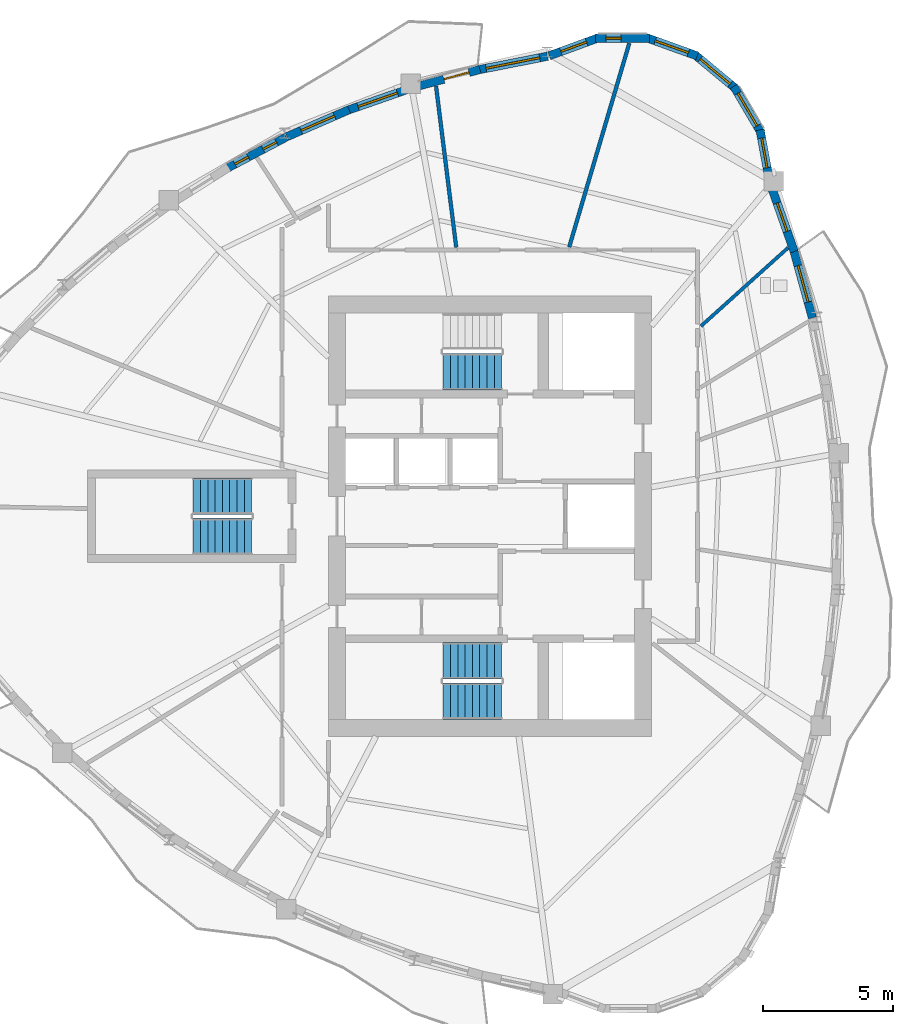
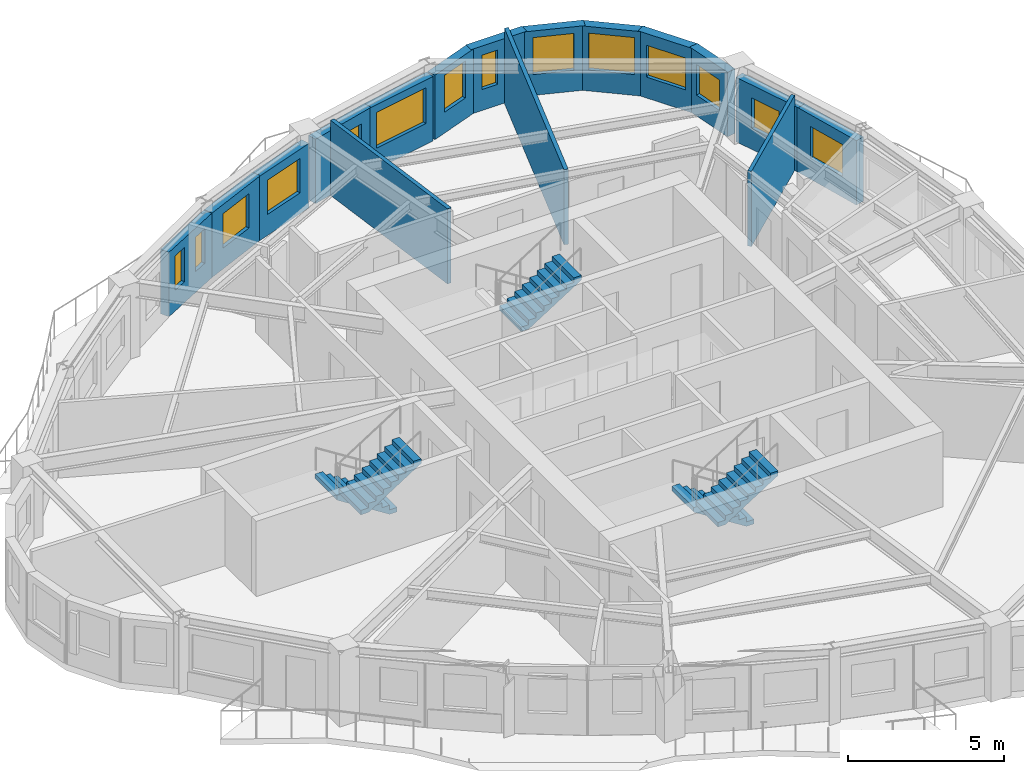
# One storey, part 7 of 12: 16 walls, 13 windows, 5 stair flights, 1 door, 14 openings, 3 elements without a shape of their own.
"""IFC4 building model written with IfcOpenShell, lengths in metres."""

from ifc_helpers import new_model, si_unit, direction, frame, frame_2d, origin, place, context, subcontext, project, spatial, polyline, rectangle, outline, extrude, source, transform, mapped, material, layer, layer_set, type_object, element, fill, aggregate, save


model = new_model("IFC4")

# Units and contexts
model_context = context("Model", 3, precision=1e-05, world=origin(), true_north=direction((0.0, 1.0)))
body_context = subcontext(model_context, "Body", "Model", "MODEL_VIEW")
ifc_project = project(units=[si_unit("LENGTHUNIT", "METRE"), si_unit("AREAUNIT", "SQUARE_METRE"), si_unit("VOLUMEUNIT", "CUBIC_METRE"), si_unit("PLANEANGLEUNIT", "RADIAN"), si_unit("MASSUNIT", "GRAM", prefix="KILO")], contexts=[model_context])

# Site, building, storey
site_placement = place(None, origin())
site = spatial("IfcSite", under=ifc_project, at=site_placement, CompositionType="ELEMENT")
building_placement = place(site_placement, origin())
building = spatial("IfcBuilding", under=site, at=building_placement, Name="Qafzar Sky-Pleat Residences", CompositionType="ELEMENT")
storey_placement = place(building_placement, frame((0.0, 0.0, 171.39990234375)))
storey = spatial("IfcBuildingStorey", under=building, at=storey_placement, Name="L51", CompositionType="ELEMENT", Elevation=171.39990234375)

# Walls
ifc_material_1 = material(Name="Acoustic gypsum plasterboard partition", Category="gypsum")
ifc_layer_1 = layer(ifc_material_1, 0.14501953125)
ifc_layer_set_1 = layer_set([ifc_layer_1], Name="Acoustic gypsum plasterboard partition")
wall_type_1 = type_object("IfcWallType", Name="PART-UNIT-145", PredefinedType="PARTITIONING", material=ifc_layer_set_1)
wall_1_placement = place(storey_placement, frame((33.39697265625, 36.338134765625, 0.0), z_axis=(0.0, 0.0, 1.0), x_axis=(0.282812266721, 0.9591752821, 0.0)))
element("IfcWall", 1, at=wall_1_placement, inside=storey, type_object=wall_type_1, Name="L51 Partition Wall PART-L51-PW-015", PredefinedType="PARTITIONING", context=body_context, shape_type="SweptSolid", body=[
    extrude(rectangle(XDim=8.163818359375, YDim=0.14501953125, at=frame_2d((4.08203125, 0.0))), origin(), (0.0, 0.0, 1.0), 2.9501953125),
])
wall_2_placement = place(storey_placement, frame((28.284423828125, 42.519287109375, 0.0), z_axis=(0.0, 0.0, 1.0), x_axis=(0.124092513413, -0.992270652652, 0.0)))
element("IfcWall", 2, at=wall_2_placement, inside=storey, type_object=wall_type_1, Name="L51 Partition Wall PART-L51-PW-018", PredefinedType="PARTITIONING", context=body_context, shape_type="SweptSolid", body=[
    extrude(rectangle(XDim=6.24072265625, YDim=0.14501953125, at=frame_2d((3.120361328125, 0.0))), origin(), (0.0, 0.0, 1.0), 2.9501953125),
])
ifc_material_2 = material(Name="Moisture-resistant gypsum partition", Category="gypsum")
ifc_layer_2 = layer(ifc_material_2, 0.1298828125)
ifc_layer_set_2 = layer_set([ifc_layer_2], Name="Moisture-resistant gypsum partition")
wall_type_2 = type_object("IfcWallType", Name="PART-WET-130", PredefinedType="PARTITIONING", material=ifc_layer_set_2)
wall_3_placement = place(storey_placement, frame((38.45947265625, 33.302490234375, 0.0), z_axis=(0.0, 0.0, 1.0), x_axis=(0.743161955126, 0.669111581467, 0.0)))
element("IfcWall", 3, at=wall_3_placement, inside=storey, type_object=wall_type_2, Name="L51 Partition Wall PART-L51-PW-022", PredefinedType="PARTITIONING", context=body_context, shape_type="SweptSolid", body=[
    extrude(rectangle(XDim=4.500244140625, YDim=0.1298828125, at=frame_2d((2.25, 0.0))), origin(), (0.0, 0.0, 1.0), 2.9501953125),
])

# Wall, opening, window
ifc_material_3 = material(Name="Precast concrete C40/50 with honed Riyadh limestone", Category="concrete")
ifc_layer_3 = layer(ifc_material_3, 0.320068359375)
ifc_layer_set_3 = layer_set([ifc_layer_3], Name="Precast concrete C40/50 with honed Riyadh limestone")
wall_type_3 = type_object("IfcWallType", Name="WALL-EXT-320", PredefinedType="SOLIDWALL", material=ifc_layer_set_3)
wall_4_placement = place(storey_placement, frame((42.738037109375, 33.620361328125, 0.0), z_axis=(0.0, 0.0, 1.0), x_axis=(-0.266368237314, 0.963871341077, 0.0)))
wall_4 = element("IfcWall", 4, at=wall_4_placement, inside=storey, type_object=wall_type_3, Name="L51 Limestone Facade Wall 31", PredefinedType="SOLIDWALL", context=body_context, shape_type="SweptSolid", body=[
    extrude(rectangle(XDim=2.724853515625, YDim=0.320068359375, at=frame_2d((1.3623046875, 0.0))), origin(), (0.0, 0.0, 1.0), 2.530029296875),
])
opening_1_placement = place(wall_4_placement, frame((0.62744140625, 0.0, 0.820068359375)))
opening_1 = element("IfcOpeningElement", 5, at=opening_1_placement, cuts=wall_4, Name="Opening WN-15", PredefinedType="OPENING", context=body_context, shape_type="SweptSolid", body=[
    extrude(rectangle(XDim=1.449951171875, YDim=1.25, at=frame_2d((0.72509765625, 0.625))), frame((0.0, 0.169921875, 0.0), z_axis=(0.0, -1.0, 0.0), x_axis=(1.0, 0.0, 0.0)), (0.0, 0.0, 1.0), 0.340087890625),
])
ifc_material_4 = material(Name="Solar-control low-E glass in bronze aluminium frame", Category="glass")
window_type_1 = type_object("IfcWindowType", Name="WIN-15", PartitioningType="SINGLE_PANEL", PredefinedType="WINDOW", material=ifc_material_4)
shared_shape_1 = source(origin(), body_context, "Body", "SweptSolid", [
    extrude(rectangle(XDim=1.449951171875, YDim=1.25, at=frame_2d((0.72509765625, 0.625))), frame((0.0, 0.030029296875, 0.0), z_axis=(0.0, -1.0, 0.0), x_axis=(1.0, 0.0, 0.0)), (0.0, 0.0, 1.0), 0.06005859375),
])
window_1_placement = place(opening_1_placement, origin())
window_1 = element("IfcWindow", 6, at=window_1_placement, inside=storey, type_object=window_type_1, Name="L51 Punched Facade Window 31", OverallHeight=1.25, OverallWidth=1.449951171875, PartitioningType="SINGLE_PANEL", PredefinedType="WINDOW", context=body_context, shape_type="MappedRepresentation", body=[
    mapped(shared_shape_1, transform((0.0, 0.0, 0.0), x_axis=(1.0, 0.0, 0.0), y_axis=(0.0, 1.0, 0.0), z_axis=(0.0, 0.0, 1.0), scale=1.0)),
])
fill(opening_1, window_1)

wall_5_placement = place(storey_placement, frame((42.0380859375, 36.163818359375, 0.0), z_axis=(0.0, 0.0, 1.0), x_axis=(-0.332757175442, 0.943012546148, 0.0)))
wall_5 = element("IfcWall", 7, at=wall_5_placement, inside=storey, type_object=wall_type_3, Name="L51 Limestone Facade Wall 32", PredefinedType="SOLIDWALL", context=body_context, shape_type="SweptSolid", body=[
    extrude(rectangle(XDim=2.6376953125, YDim=0.320068359375, at=frame_2d((1.31884765625, 0.0))), origin(), (0.0, 0.0, 1.0), 2.530029296875),
])
opening_2_placement = place(wall_5_placement, frame((0.822998046875, 0.0, 0.820068359375)))
opening_2 = element("IfcOpeningElement", 8, at=opening_2_placement, cuts=wall_5, Name="Opening WN-16", PredefinedType="OPENING", context=body_context, shape_type="SweptSolid", body=[
    extrude(rectangle(XDim=1.14990234375, YDim=1.199951171875, at=frame_2d((0.574951171875, 0.60009765625))), frame((0.0, 0.169921875, 0.0), z_axis=(0.0, -1.0, 0.0), x_axis=(1.0, 0.0, 0.0)), (0.0, 0.0, 1.0), 0.340087890625),
])
window_type_2 = type_object("IfcWindowType", Name="WIN-16", PartitioningType="SINGLE_PANEL", PredefinedType="WINDOW", material=ifc_material_4)
shared_shape_2 = source(origin(), body_context, "Body", "SweptSolid", [
    extrude(rectangle(XDim=1.14990234375, YDim=1.199951171875, at=frame_2d((0.574951171875, 0.60009765625))), frame((0.0, 0.030029296875, 0.0), z_axis=(0.0, -1.0, 0.0), x_axis=(1.0, 0.0, 0.0)), (0.0, 0.0, 1.0), 0.06005859375),
])
window_2_placement = place(opening_2_placement, origin())
window_2 = element("IfcWindow", 9, at=window_2_placement, inside=storey, type_object=window_type_2, Name="L51 Punched Facade Window 32", OverallHeight=1.199951171875, OverallWidth=1.14990234375, PartitioningType="SINGLE_PANEL", PredefinedType="WINDOW", context=body_context, shape_type="MappedRepresentation", body=[
    mapped(shared_shape_2, transform((0.0, 0.0, 0.0), x_axis=(1.0, 0.0, 0.0), y_axis=(0.0, 1.0, 0.0), z_axis=(0.0, 0.0, 1.0), scale=1.0)),
])
fill(opening_2, window_2)

wall_6_placement = place(storey_placement, frame((41.069091796875, 38.992919921875, 0.0), z_axis=(0.0, 0.0, 1.0), x_axis=(-0.182373191939, 0.983229382627, 0.0)))
wall_6 = element("IfcWall", 10, at=wall_6_placement, inside=storey, type_object=wall_type_3, Name="L51 Limestone Facade Wall 33", PredefinedType="SOLIDWALL", context=body_context, shape_type="SweptSolid", body=[
    extrude(rectangle(XDim=1.878173828125, YDim=0.320068359375, at=frame_2d((0.93896484375, 0.0))), origin(), (0.0, 0.0, 1.0), 2.530029296875),
])
opening_3_placement = place(wall_6_placement, frame((0.39892578125, 0.0, 0.820068359375)))
opening_3 = element("IfcOpeningElement", 11, at=opening_3_placement, cuts=wall_6, Name="Opening WN-16", PredefinedType="OPENING", context=body_context, shape_type="SweptSolid", body=[
    extrude(rectangle(XDim=1.14990234375, YDim=1.199951171875, at=frame_2d((0.574951171875, 0.60009765625))), frame((0.0, 0.169921875, 0.0), z_axis=(0.0, -1.0, 0.0), x_axis=(1.0, 0.0, 0.0)), (0.0, 0.0, 1.0), 0.340087890625),
])
window_3_placement = place(opening_3_placement, origin())
window_3 = element("IfcWindow", 12, at=window_3_placement, inside=storey, type_object=window_type_2, Name="L51 Punched Facade Window 33", OverallHeight=1.199951171875, OverallWidth=1.14990234375, PartitioningType="SINGLE_PANEL", PredefinedType="WINDOW", context=body_context, shape_type="MappedRepresentation", body=[
    mapped(shared_shape_2, transform((0.0, 0.0, 0.0), x_axis=(1.0, 0.0, 0.0), y_axis=(0.0, 1.0, 0.0), z_axis=(0.0, 0.0, 1.0), scale=1.0)),
])
fill(opening_3, window_3)

wall_7_placement = place(storey_placement, frame((40.77197265625, 40.717529296875, 0.0), z_axis=(0.0, 0.0, 1.0), x_axis=(-0.506312473438, 0.86235009088, 0.0)))
wall_7 = element("IfcWall", 13, at=wall_7_placement, inside=storey, type_object=wall_type_3, Name="L51 Limestone Facade Wall 34", PredefinedType="SOLIDWALL", context=body_context, shape_type="SweptSolid", body=[
    extrude(rectangle(XDim=2.0810546875, YDim=0.320068359375, at=frame_2d((1.04052734375, 0.0))), origin(), (0.0, 0.0, 1.0), 2.530029296875),
])
opening_4_placement = place(wall_7_placement, frame((0.3154296875, 0.0, 0.820068359375)))
opening_4 = element("IfcOpeningElement", 14, at=opening_4_placement, cuts=wall_7, Name="Opening WN-15", PredefinedType="OPENING", context=body_context, shape_type="SweptSolid", body=[
    extrude(rectangle(XDim=1.449951171875, YDim=1.25, at=frame_2d((0.72509765625, 0.625))), frame((0.0, 0.169921875, 0.0), z_axis=(0.0, -1.0, 0.0), x_axis=(1.0, 0.0, 0.0)), (0.0, 0.0, 1.0), 0.340087890625),
])
window_4_placement = place(opening_4_placement, origin())
window_4 = element("IfcWindow", 15, at=window_4_placement, inside=storey, type_object=window_type_1, Name="L51 Punched Facade Window 34", OverallHeight=1.25, OverallWidth=1.449951171875, PartitioningType="SINGLE_PANEL", PredefinedType="WINDOW", context=body_context, shape_type="MappedRepresentation", body=[
    mapped(shared_shape_1, transform((0.0, 0.0, 0.0), x_axis=(1.0, 0.0, 0.0), y_axis=(0.0, 1.0, 0.0), z_axis=(0.0, 0.0, 1.0), scale=1.0)),
])
fill(opening_4, window_4)

wall_8_placement = place(storey_placement, frame((39.802490234375, 42.4130859375, 0.0), z_axis=(0.0, 0.0, 1.0), x_axis=(-0.769642650648, 0.638474894028, 0.0)))
wall_8 = element("IfcWall", 16, at=wall_8_placement, inside=storey, type_object=wall_type_3, Name="L51 Limestone Facade Wall 35", PredefinedType="SOLIDWALL", context=body_context, shape_type="SweptSolid", body=[
    extrude(rectangle(XDim=2.080810546875, YDim=0.320068359375, at=frame_2d((1.04052734375, 0.0))), origin(), (0.0, 0.0, 1.0), 2.530029296875),
])
opening_5_placement = place(wall_8_placement, frame((0.29052734375, 0.0, 0.820068359375)))
opening_5 = element("IfcOpeningElement", 17, at=opening_5_placement, cuts=wall_8, Name="Opening WN-03", PredefinedType="OPENING", context=body_context, shape_type="SweptSolid", body=[
    extrude(rectangle(XDim=1.5, YDim=1.449951171875, at=frame_2d((0.75, 0.72509765625))), frame((0.0, 0.169921875, 0.0), z_axis=(0.0, -1.0, 0.0), x_axis=(1.0, 0.0, 0.0)), (0.0, 0.0, 1.0), 0.340087890625),
])
window_type_3 = type_object("IfcWindowType", Name="WIN-03", PartitioningType="DOUBLE_PANEL_VERTICAL", PredefinedType="WINDOW", material=ifc_material_4)
shared_shape_3 = source(origin(), body_context, "Body", "SweptSolid", [
    extrude(rectangle(XDim=1.5, YDim=1.449951171875, at=frame_2d((0.75, 0.72509765625))), frame((0.0, 0.030029296875, 0.0), z_axis=(0.0, -1.0, 0.0), x_axis=(1.0, 0.0, 0.0)), (0.0, 0.0, 1.0), 0.06005859375),
])
window_5_placement = place(opening_5_placement, origin())
window_5 = element("IfcWindow", 18, at=window_5_placement, inside=storey, type_object=window_type_3, Name="L51 Punched Facade Window 35", OverallHeight=1.449951171875, OverallWidth=1.5, PartitioningType="SINGLE_PANEL", PredefinedType="WINDOW", context=body_context, shape_type="MappedRepresentation", body=[
    mapped(shared_shape_3, transform((0.0, 0.0, 0.0), x_axis=(1.0, 0.0, 0.0), y_axis=(0.0, 1.0, 0.0), z_axis=(0.0, 0.0, 1.0), scale=1.0)),
])
fill(opening_5, window_5)

wall_9_placement = place(storey_placement, frame((38.31396484375, 43.67724609375, 0.0), z_axis=(0.0, 0.0, 1.0), x_axis=(-0.941071215914, 0.338208466153, 0.0)))
wall_9 = element("IfcWall", 19, at=wall_9_placement, inside=storey, type_object=wall_type_3, Name="L51 Limestone Facade Wall 36", PredefinedType="SOLIDWALL", context=body_context, shape_type="SweptSolid", body=[
    extrude(rectangle(XDim=2.0810546875, YDim=0.320068359375, at=frame_2d((1.04052734375, 0.0))), origin(), (0.0, 0.0, 1.0), 2.530029296875),
])
opening_6_placement = place(wall_9_placement, frame((0.365478515625, 0.0, 0.820068359375)))
opening_6 = element("IfcOpeningElement", 20, at=opening_6_placement, cuts=wall_9, Name="Opening WN-04", PredefinedType="OPENING", context=body_context, shape_type="SweptSolid", body=[
    extrude(rectangle(XDim=1.35009765625, YDim=1.449951171875, at=frame_2d((0.675048828125, 0.72509765625))), frame((0.0, 0.169921875, 0.0), z_axis=(0.0, -1.0, 0.0), x_axis=(1.0, 0.0, 0.0)), (0.0, 0.0, 1.0), 0.340087890625),
])
window_type_4 = type_object("IfcWindowType", Name="WIN-04", PartitioningType="SINGLE_PANEL", PredefinedType="WINDOW", material=ifc_material_4)
shared_shape_4 = source(origin(), body_context, "Body", "SweptSolid", [
    extrude(rectangle(XDim=1.35009765625, YDim=1.449951171875, at=frame_2d((0.675048828125, 0.72509765625))), frame((0.0, 0.030029296875, 0.0), z_axis=(0.0, -1.0, 0.0), x_axis=(1.0, 0.0, 0.0)), (0.0, 0.0, 1.0), 0.06005859375),
])
window_6_placement = place(opening_6_placement, origin())
window_6 = element("IfcWindow", 21, at=window_6_placement, inside=storey, type_object=window_type_4, Name="L51 Punched Facade Window 36", OverallHeight=1.449951171875, OverallWidth=1.35009765625, PartitioningType="SINGLE_PANEL", PredefinedType="WINDOW", context=body_context, shape_type="MappedRepresentation", body=[
    mapped(shared_shape_4, transform((0.0, 0.0, 0.0), x_axis=(1.0, 0.0, 0.0), y_axis=(0.0, 1.0, 0.0), z_axis=(0.0, 0.0, 1.0), scale=1.0)),
])
fill(opening_6, window_6)

wall_10_placement = place(storey_placement, frame((36.48388671875, 44.35888671875, 0.0), z_axis=(0.0, 0.0, 1.0), x_axis=(-0.999997248057, -0.0023460346, 0.0)))
wall_10 = element("IfcWall", 22, at=wall_10_placement, inside=storey, type_object=wall_type_3, Name="L51 Limestone Facade Wall 37", PredefinedType="SOLIDWALL", context=body_context, shape_type="SweptSolid", body=[
    extrude(rectangle(XDim=2.081298828125, YDim=0.320068359375, at=frame_2d((1.04052734375, 0.0))), origin(), (0.0, 0.0, 1.0), 2.530029296875),
])
opening_7_placement = place(wall_10_placement, frame((1.09423828125, 0.0, 0.820068359375)))
opening_7 = element("IfcOpeningElement", 23, at=opening_7_placement, cuts=wall_10, Name="Opening WN-17", PredefinedType="OPENING", context=body_context, shape_type="SweptSolid", body=[
    extrude(rectangle(XDim=0.580078125, YDim=1.35009765625, at=frame_2d((0.2900390625, 0.675048828125))), frame((0.0, 0.169921875, 0.0), z_axis=(0.0, -1.0, 0.0), x_axis=(1.0, 0.0, 0.0)), (0.0, 0.0, 1.0), 0.340087890625),
])
window_type_5 = type_object("IfcWindowType", Name="WIN-17", PartitioningType="SINGLE_PANEL", PredefinedType="WINDOW", material=ifc_material_4)
shared_shape_5 = source(origin(), body_context, "Body", "SweptSolid", [
    extrude(rectangle(XDim=0.580078125, YDim=1.35009765625, at=frame_2d((0.2900390625, 0.675048828125))), frame((0.0, 0.030029296875, 0.0), z_axis=(0.0, -1.0, 0.0), x_axis=(1.0, 0.0, 0.0)), (0.0, 0.0, 1.0), 0.06005859375),
])
window_7_placement = place(opening_7_placement, origin())
window_7 = element("IfcWindow", 24, at=window_7_placement, inside=storey, type_object=window_type_5, Name="L51 Punched Facade Window 37-2", OverallHeight=1.35009765625, OverallWidth=0.580078125, PartitioningType="SINGLE_PANEL", PredefinedType="WINDOW", context=body_context, shape_type="MappedRepresentation", body=[
    mapped(shared_shape_5, transform((0.0, 0.0, 0.0), x_axis=(1.0, 0.0, 0.0), y_axis=(0.0, 1.0, 0.0), z_axis=(0.0, 0.0, 1.0), scale=1.0)),
])
fill(opening_7, window_7)

wall_11_placement = place(storey_placement, frame((34.53076171875, 44.376708984375, 0.0), z_axis=(0.0, 0.0, 1.0), x_axis=(-0.939387553708, -0.342857148007, 0.0)))
wall_11 = element("IfcWall", 25, at=wall_11_placement, inside=storey, type_object=wall_type_3, Name="L51 Limestone Facade Wall 38", PredefinedType="SOLIDWALL", context=body_context, shape_type="SweptSolid", body=[
    extrude(rectangle(XDim=2.02294921875, YDim=0.320068359375, at=frame_2d((1.011474609375, 0.0))), origin(), (0.0, 0.0, 1.0), 2.530029296875),
])
opening_8_placement = place(wall_11_placement, frame((0.49658203125, 0.0, 0.820068359375)))
opening_8 = element("IfcOpeningElement", 26, at=opening_8_placement, cuts=wall_11, Name="Opening WN-06", PredefinedType="OPENING", context=body_context, shape_type="SweptSolid", body=[
    extrude(rectangle(XDim=1.050048828125, YDim=1.449951171875, at=frame_2d((0.52490234375, 0.72509765625))), frame((0.0, 0.169921875, 0.0), z_axis=(0.0, -1.0, 0.0), x_axis=(1.0, 0.0, 0.0)), (0.0, 0.0, 1.0), 0.340087890625),
])
window_type_6 = type_object("IfcWindowType", Name="WIN-06", PartitioningType="SINGLE_PANEL", PredefinedType="WINDOW", material=ifc_material_4)
shared_shape_6 = source(origin(), body_context, "Body", "SweptSolid", [
    extrude(rectangle(XDim=1.050048828125, YDim=1.449951171875, at=frame_2d((0.52490234375, 0.72509765625))), frame((0.0, 0.030029296875, 0.0), z_axis=(0.0, -1.0, 0.0), x_axis=(1.0, 0.0, 0.0)), (0.0, 0.0, 1.0), 0.06005859375),
])
window_8_placement = place(opening_8_placement, origin())
window_8 = element("IfcWindow", 27, at=window_8_placement, inside=storey, type_object=window_type_6, Name="L51 Punched Facade Window 38", OverallHeight=1.449951171875, OverallWidth=1.050048828125, PartitioningType="SINGLE_PANEL", PredefinedType="WINDOW", context=body_context, shape_type="MappedRepresentation", body=[
    mapped(shared_shape_6, transform((0.0, 0.0, 0.0), x_axis=(1.0, 0.0, 0.0), y_axis=(0.0, 1.0, 0.0), z_axis=(0.0, 0.0, 1.0), scale=1.0)),
])
fill(opening_8, window_8)

wall_12_placement = place(storey_placement, frame((32.56787109375, 43.665771484375, 0.0), z_axis=(0.0, 0.0, 1.0), x_axis=(-0.98123405142, -0.192820476959, 0.0)))
wall_12 = element("IfcWall", 28, at=wall_12_placement, inside=storey, type_object=wall_type_3, Name="L51 Limestone Facade Wall 39", PredefinedType="SOLIDWALL", context=body_context, shape_type="SweptSolid", body=[
    extrude(rectangle(XDim=2.736083984375, YDim=0.320068359375, at=frame_2d((1.3681640625, 0.0))), origin(), (0.0, 0.0, 1.0), 2.530029296875),
])
opening_9_placement = place(wall_12_placement, frame((0.30810546875, 0.0, 0.820068359375)))
opening_9 = element("IfcOpeningElement", 29, at=opening_9_placement, cuts=wall_12, Name="Opening WN-07", PredefinedType="OPENING", context=body_context, shape_type="SweptSolid", body=[
    extrude(rectangle(XDim=2.10009765625, YDim=1.39990234375, at=frame_2d((1.050048828125, 0.699951171875))), frame((0.0, 0.169921875, 0.0), z_axis=(0.0, -1.0, 0.0), x_axis=(1.0, 0.0, 0.0)), (0.0, 0.0, 1.0), 0.340087890625),
])
window_type_7 = type_object("IfcWindowType", Name="WIN-07", PartitioningType="DOUBLE_PANEL_VERTICAL", PredefinedType="WINDOW", material=ifc_material_4)
shared_shape_7 = source(origin(), body_context, "Body", "SweptSolid", [
    extrude(rectangle(XDim=2.10009765625, YDim=1.39990234375, at=frame_2d((1.050048828125, 0.699951171875))), frame((0.0, 0.030029296875, 0.0), z_axis=(0.0, -1.0, 0.0), x_axis=(1.0, 0.0, 0.0)), (0.0, 0.0, 1.0), 0.06005859375),
])
window_9_placement = place(opening_9_placement, origin())
window_9 = element("IfcWindow", 30, at=window_9_placement, inside=storey, type_object=window_type_7, Name="L51 Punched Facade Window 39", OverallHeight=1.39990234375, OverallWidth=2.10009765625, PartitioningType="SINGLE_PANEL", PredefinedType="WINDOW", context=body_context, shape_type="MappedRepresentation", body=[
    mapped(shared_shape_7, transform((0.0, 0.0, 0.0), x_axis=(1.0, 0.0, 0.0), y_axis=(0.0, 1.0, 0.0), z_axis=(0.0, 0.0, 1.0), scale=1.0)),
])
fill(opening_9, window_9)

# Wall, opening, door
wall_13_placement = place(storey_placement, frame((29.968017578125, 43.157958984375, 0.0), z_axis=(0.0, 0.0, 1.0), x_axis=(-0.965458407369, -0.260557217593, 0.0)))
wall_13 = element("IfcWall", 31, at=wall_13_placement, inside=storey, type_object=wall_type_3, Name="L51 Limestone Facade Wall 40", PredefinedType="SOLIDWALL", context=body_context, shape_type="SweptSolid", body=[
    extrude(rectangle(XDim=2.53466796875, YDim=0.320068359375, at=frame_2d((1.267333984375, 0.0))), origin(), (0.0, 0.0, 1.0), 2.530029296875),
])
opening_10_placement = place(wall_13_placement, frame((0.433837890625, 0.0, 0.0)))
opening_10 = element("IfcOpeningElement", 32, at=opening_10_placement, cuts=wall_13, Name="Opening ED-05", PredefinedType="OPENING", context=body_context, shape_type="SweptSolid", body=[
    extrude(rectangle(XDim=1.0, YDim=2.10009765625, at=frame_2d((0.5, 1.050048828125))), frame((0.0, 0.169921875, 0.0), z_axis=(0.0, -1.0, 0.0), x_axis=(1.0, 0.0, 0.0)), (0.0, 0.0, 1.0), 0.340087890625),
])
ifc_material_5 = material(Name="Glazed bronze aluminium door", Category="aluminium")
door_type = type_object("IfcDoorType", Name="DR-BAL-1000", OperationType="NOTDEFINED", PredefinedType="DOOR", material=ifc_material_5)
shared_shape_8 = source(origin(), body_context, "Body", "SweptSolid", [
    extrude(rectangle(XDim=1.0, YDim=2.10009765625, at=frame_2d((0.5, 1.050048828125))), frame((0.0, 0.02490234375, 0.0), z_axis=(0.0, -1.0, 0.0), x_axis=(1.0, 0.0, 0.0)), (0.0, 0.0, 1.0), 0.050048828125),
])
door_placement = place(opening_10_placement, origin())
door = element("IfcDoor", 33, at=door_placement, inside=storey, type_object=door_type, Name="L51 Glazed Balcony Door 2", OperationType="SINGLE_SWING_RIGHT", OverallHeight=2.10009765625, OverallWidth=1.0, PredefinedType="DOOR", context=body_context, shape_type="MappedRepresentation", body=[
    mapped(shared_shape_8, transform((0.0, 0.0, 0.0), x_axis=(1.0, 0.0, 0.0), y_axis=(0.0, 1.0, 0.0), z_axis=(0.0, 0.0, 1.0), scale=1.0)),
])
fill(opening_10, door)

# Wall, opening, window
wall_14_placement = place(storey_placement, frame((27.217041015625, 42.403564453125, 0.0), z_axis=(0.0, 0.0, 1.0), x_axis=(-0.94410869631, -0.329634296687, 0.0)))
wall_14 = element("IfcWall", 34, at=wall_14_placement, inside=storey, type_object=wall_type_3, Name="L51 Limestone Facade Wall 41", PredefinedType="SOLIDWALL", context=body_context, shape_type="SweptSolid", body=[
    extrude(rectangle(XDim=2.49072265625, YDim=0.320068359375, at=frame_2d((1.245361328125, 0.0))), origin(), (0.0, 0.0, 1.0), 2.530029296875),
])
opening_11_placement = place(wall_14_placement, frame((0.4404296875, 0.0, 0.820068359375)))
opening_11 = element("IfcOpeningElement", 35, at=opening_11_placement, cuts=wall_14, Name="Opening WN-09", PredefinedType="OPENING", context=body_context, shape_type="SweptSolid", body=[
    extrude(rectangle(XDim=1.60009765625, YDim=1.35009765625, at=frame_2d((0.800048828125, 0.675048828125))), frame((0.0, 0.169921875, 0.0), z_axis=(0.0, -1.0, 0.0), x_axis=(1.0, 0.0, 0.0)), (0.0, 0.0, 1.0), 0.340087890625),
])
window_type_8 = type_object("IfcWindowType", Name="WIN-09", PartitioningType="DOUBLE_PANEL_VERTICAL", PredefinedType="WINDOW", material=ifc_material_4)
shared_shape_9 = source(origin(), body_context, "Body", "SweptSolid", [
    extrude(rectangle(XDim=1.60009765625, YDim=1.35009765625, at=frame_2d((0.800048828125, 0.675048828125))), frame((0.0, 0.030029296875, 0.0), z_axis=(0.0, -1.0, 0.0), x_axis=(1.0, 0.0, 0.0)), (0.0, 0.0, 1.0), 0.06005859375),
])
window_10_placement = place(opening_11_placement, origin())
window_10 = element("IfcWindow", 36, at=window_10_placement, inside=storey, type_object=window_type_8, Name="L51 Punched Facade Window 41", OverallHeight=1.35009765625, OverallWidth=1.60009765625, PartitioningType="SINGLE_PANEL", PredefinedType="WINDOW", context=body_context, shape_type="MappedRepresentation", body=[
    mapped(shared_shape_9, transform((0.0, 0.0, 0.0), x_axis=(1.0, 0.0, 0.0), y_axis=(0.0, 1.0, 0.0), z_axis=(0.0, 0.0, 1.0), scale=1.0)),
])
fill(opening_11, window_10)

wall_15_placement = place(storey_placement, frame((24.947021484375, 41.614501953125, 0.0), z_axis=(0.0, 0.0, 1.0), x_axis=(-0.9171028146, -0.398650758752, 0.0)))
wall_15 = element("IfcWall", 37, at=wall_15_placement, inside=storey, type_object=wall_type_3, Name="L51 Limestone Facade Wall 42", PredefinedType="SOLIDWALL", context=body_context, shape_type="SweptSolid", body=[
    extrude(rectangle(XDim=2.6064453125, YDim=0.320068359375, at=frame_2d((1.30322265625, 0.0))), origin(), (0.0, 0.0, 1.0), 2.530029296875),
])
opening_12_placement = place(wall_15_placement, frame((0.61328125, 0.0, 0.820068359375)))
opening_12 = element("IfcOpeningElement", 38, at=opening_12_placement, cuts=wall_15, Name="Opening WN-10", PredefinedType="OPENING", context=body_context, shape_type="SweptSolid", body=[
    extrude(rectangle(XDim=1.39990234375, YDim=1.35009765625, at=frame_2d((0.699951171875, 0.675048828125))), frame((0.0, 0.169921875, 0.0), z_axis=(0.0, -1.0, 0.0), x_axis=(1.0, 0.0, 0.0)), (0.0, 0.0, 1.0), 0.340087890625),
])
window_type_9 = type_object("IfcWindowType", Name="WIN-10", PartitioningType="SINGLE_PANEL", PredefinedType="WINDOW", material=ifc_material_4)
shared_shape_10 = source(origin(), body_context, "Body", "SweptSolid", [
    extrude(rectangle(XDim=1.39990234375, YDim=1.35009765625, at=frame_2d((0.699951171875, 0.675048828125))), frame((0.0, 0.030029296875, 0.0), z_axis=(0.0, -1.0, 0.0), x_axis=(1.0, 0.0, 0.0)), (0.0, 0.0, 1.0), 0.06005859375),
])
window_11_placement = place(opening_12_placement, origin())
window_11 = element("IfcWindow", 39, at=window_11_placement, inside=storey, type_object=window_type_9, Name="L51 Punched Facade Window 42", OverallHeight=1.35009765625, OverallWidth=1.39990234375, PartitioningType="SINGLE_PANEL", PredefinedType="WINDOW", context=body_context, shape_type="MappedRepresentation", body=[
    mapped(shared_shape_10, transform((0.0, 0.0, 0.0), x_axis=(1.0, 0.0, 0.0), y_axis=(0.0, 1.0, 0.0), z_axis=(0.0, 0.0, 1.0), scale=1.0)),
])
fill(opening_12, window_11)

# Wall, openings, windows
wall_16_placement = place(storey_placement, frame((22.531494140625, 40.5634765625, 0.0), z_axis=(0.0, 0.0, 1.0), x_axis=(-0.884376111278, -0.466774992691, 0.0)))
wall_16 = element("IfcWall", 40, at=wall_16_placement, inside=storey, type_object=wall_type_3, Name="L51 Limestone Facade Wall 43", PredefinedType="SOLIDWALL", context=body_context, shape_type="SweptSolid", body=[
    extrude(rectangle(XDim=2.591552734375, YDim=0.320068359375, at=frame_2d((1.2958984375, 0.0))), origin(), (0.0, 0.0, 1.0), 2.530029296875),
])
opening_13_placement = place(wall_16_placement, frame((0.42431640625, 0.0, 0.820068359375)))
opening_13 = element("IfcOpeningElement", 41, at=opening_13_placement, cuts=wall_16, Name="Opening WN-17", PredefinedType="OPENING", context=body_context, shape_type="SweptSolid", body=[
    extrude(rectangle(XDim=0.580078125, YDim=1.35009765625, at=frame_2d((0.2900390625, 0.675048828125))), frame((0.0, 0.169921875, 0.0), z_axis=(0.0, -1.0, 0.0), x_axis=(1.0, 0.0, 0.0)), (0.0, 0.0, 1.0), 0.340087890625),
])
opening_14_placement = place(wall_16_placement, frame((1.650390625, 0.0, 0.820068359375)))
opening_14 = element("IfcOpeningElement", 42, at=opening_14_placement, cuts=wall_16, Name="Opening WN-17", PredefinedType="OPENING", context=body_context, shape_type="SweptSolid", body=[
    extrude(rectangle(XDim=0.580078125, YDim=1.35009765625, at=frame_2d((0.2900390625, 0.675048828125))), frame((0.0, 0.169921875, 0.0), z_axis=(0.0, -1.0, 0.0), x_axis=(1.0, 0.0, 0.0)), (0.0, 0.0, 1.0), 0.340087890625),
])
window_12_placement = place(opening_13_placement, origin())
window_12 = element("IfcWindow", 43, at=window_12_placement, inside=storey, type_object=window_type_5, Name="L51 Punched Facade Window 43", OverallHeight=1.35009765625, OverallWidth=0.580078125, PartitioningType="SINGLE_PANEL", PredefinedType="WINDOW", context=body_context, shape_type="MappedRepresentation", body=[
    mapped(shared_shape_5, transform((0.0, 0.0, 0.0), x_axis=(1.0, 0.0, 0.0), y_axis=(0.0, 1.0, 0.0), z_axis=(0.0, 0.0, 1.0), scale=1.0)),
])
fill(opening_13, window_12)
window_13_placement = place(opening_14_placement, origin())
window_13 = element("IfcWindow", 44, at=window_13_placement, inside=storey, type_object=window_type_5, Name="L51 Punched Facade Window 43-2", OverallHeight=1.35009765625, OverallWidth=0.580078125, PartitioningType="SINGLE_PANEL", PredefinedType="WINDOW", context=body_context, shape_type="MappedRepresentation", body=[
    mapped(shared_shape_5, transform((0.0, 0.0, 0.0), x_axis=(1.0, 0.0, 0.0), y_axis=(0.0, 1.0, 0.0), z_axis=(0.0, 0.0, 1.0), scale=1.0)),
])
fill(opening_14, window_13)

# Stair, stair flights
ifc_material_6 = material(Name="Concrete C40/50", Category="concrete")
stair_type = type_object("IfcStairType", Name="STAIR-H320", PredefinedType="HALF_TURN_STAIR", material=ifc_material_6)
stair_1_placement = place(storey_placement, origin())
stair_1 = element("IfcStair", 45, at=stair_1_placement, inside=storey, type_object=stair_type, Name="L51 Protected Exit Stair ST1", PredefinedType="HALF_TURN_STAIR")
stair_flight_type = type_object("IfcStairFlightType", Name="FLIGHT-H320", PredefinedType="STRAIGHT", material=ifc_material_6)
shared_shape_11 = source(origin(), body_context, "Body", "SweptSolid", [
    extrude(outline(polyline([(0.0, 0.0), (0.0, 0.177734375), (0.280029296875, 0.177734375), (0.280029296875, 0.35546875), (0.56005859375, 0.35546875), (0.56005859375, 0.533447265625), (0.840087890625, 0.533447265625), (0.840087890625, 0.711181640625), (1.1201171875, 0.711181640625), (1.1201171875, 0.888916015625), (1.39990234375, 0.888916015625), (1.39990234375, 1.066650390625), (1.679931640625, 1.066650390625), (1.679931640625, 1.244384765625), (1.9599609375, 1.244384765625), (1.9599609375, 1.422119140625), (2.239990234375, 1.422119140625), (2.239990234375, 1.60009765625), (2.239990234375, 1.24462890625), (0.27978515625, 0.0), (0.0, 0.0)])), frame((0.0, 0.699951171875, 0.0), z_axis=(0.0, -1.0, 0.0), x_axis=(1.0, 0.0, 0.0)), (0.0, 0.0, 1.0), 1.39990234375),
])
stair_flight_1_placement = place(storey_placement, frame((30.800048828125, 20.449951171875, 0.0), z_axis=(0.0, 0.0, 1.0), x_axis=(-1.0, 0.0, 0.0)))
stair_flight_1 = element("IfcStairFlight", 46, at=stair_flight_1_placement, type_object=stair_flight_type, Name="ST1 flight 1", NumberOfRisers=9, NumberOfTreads=8, PredefinedType="STRAIGHT", RiserHeight=0.177777778, TreadLength=0.28, context=body_context, shape_type="MappedRepresentation", body=[
    mapped(shared_shape_11, transform((0.0, 0.0, 0.0), x_axis=(1.0, 0.0, 0.0), y_axis=(0.0, 1.0, 0.0), z_axis=(0.0, 0.0, 1.0), scale=1.0)),
])
stair_flight_2_placement = place(storey_placement, frame((28.56005859375, 18.89990234375, 1.60009765625), z_axis=(0.0, 0.0, 1.0), x_axis=(1.0, 0.0, 0.0)))
stair_flight_2 = element("IfcStairFlight", 47, at=stair_flight_2_placement, type_object=stair_flight_type, Name="ST1 flight 2", NumberOfRisers=9, NumberOfTreads=8, PredefinedType="STRAIGHT", RiserHeight=0.177777778, TreadLength=0.28, context=body_context, shape_type="MappedRepresentation", body=[
    mapped(shared_shape_11, transform((0.0, 0.0, 0.0), x_axis=(1.0, 0.0, 0.0), y_axis=(0.0, 1.0, 0.0), z_axis=(0.0, 0.0, 1.0), scale=1.0)),
])
aggregate(stair_1, [stair_flight_1, stair_flight_2])

# Stair, stair flight
stair_2_placement = place(storey_placement, origin())
stair_2 = element("IfcStair", 48, at=stair_2_placement, inside=storey, type_object=stair_type, Name="L51 Protected Exit Stair ST2", PredefinedType="HALF_TURN_STAIR")
stair_flight_3_placement = place(storey_placement, frame((28.56005859375, 31.550048828125, 1.60009765625), z_axis=(0.0, 0.0, 1.0), x_axis=(1.0, 0.0, 0.0)))
stair_flight_3 = element("IfcStairFlight", 49, at=stair_flight_3_placement, type_object=stair_flight_type, Name="ST2 flight 2", NumberOfRisers=9, NumberOfTreads=8, PredefinedType="STRAIGHT", RiserHeight=0.177777778, TreadLength=0.28, context=body_context, shape_type="MappedRepresentation", body=[
    mapped(shared_shape_11, transform((0.0, 0.0, 0.0), x_axis=(1.0, 0.0, 0.0), y_axis=(0.0, 1.0, 0.0), z_axis=(0.0, 0.0, 1.0), scale=1.0)),
])
aggregate(stair_2, [stair_flight_3])

# Stair, stair flights
stair_3_placement = place(storey_placement, origin())
stair_3 = element("IfcStair", 50, at=stair_3_placement, inside=storey, type_object=stair_type, Name="L51 Protected Exit Stair ST3", PredefinedType="HALF_TURN_STAIR")
stair_flight_4_placement = place(storey_placement, frame((21.199951171875, 26.77490234375, 0.0), z_axis=(0.0, 0.0, 1.0), x_axis=(-1.0, 0.0, 0.0)))
stair_flight_4 = element("IfcStairFlight", 51, at=stair_flight_4_placement, type_object=stair_flight_type, Name="ST3 flight 1", NumberOfRisers=9, NumberOfTreads=8, PredefinedType="STRAIGHT", RiserHeight=0.177777778, TreadLength=0.28, context=body_context, shape_type="MappedRepresentation", body=[
    mapped(shared_shape_11, transform((0.0, 0.0, 0.0), x_axis=(1.0, 0.0, 0.0), y_axis=(0.0, 1.0, 0.0), z_axis=(0.0, 0.0, 1.0), scale=1.0)),
])
stair_flight_5_placement = place(storey_placement, frame((18.9599609375, 25.22509765625, 1.60009765625), z_axis=(0.0, 0.0, 1.0), x_axis=(1.0, 0.0, 0.0)))
stair_flight_5 = element("IfcStairFlight", 52, at=stair_flight_5_placement, type_object=stair_flight_type, Name="ST3 flight 2", NumberOfRisers=9, NumberOfTreads=8, PredefinedType="STRAIGHT", RiserHeight=0.177777778, TreadLength=0.28, context=body_context, shape_type="MappedRepresentation", body=[
    mapped(shared_shape_11, transform((0.0, 0.0, 0.0), x_axis=(1.0, 0.0, 0.0), y_axis=(0.0, 1.0, 0.0), z_axis=(0.0, 0.0, 1.0), scale=1.0)),
])
aggregate(stair_3, [stair_flight_4, stair_flight_5])

save(model, "model.ifc")
